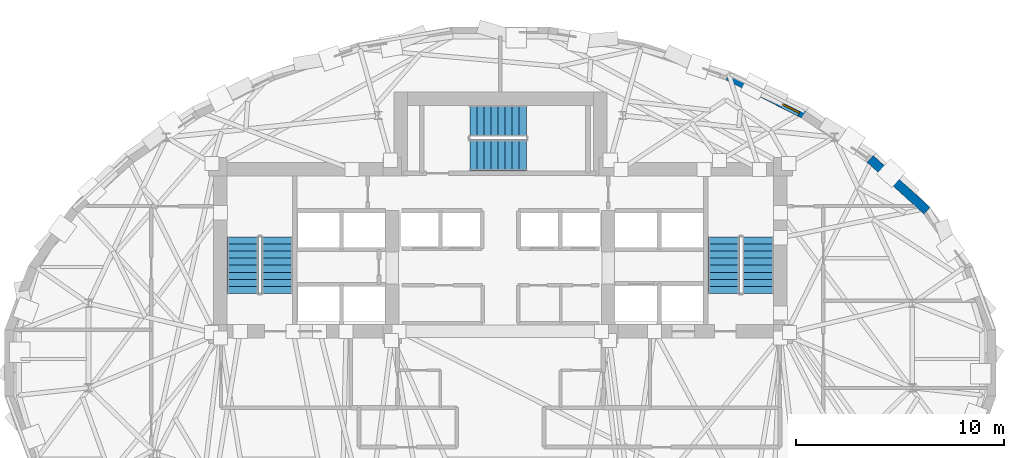
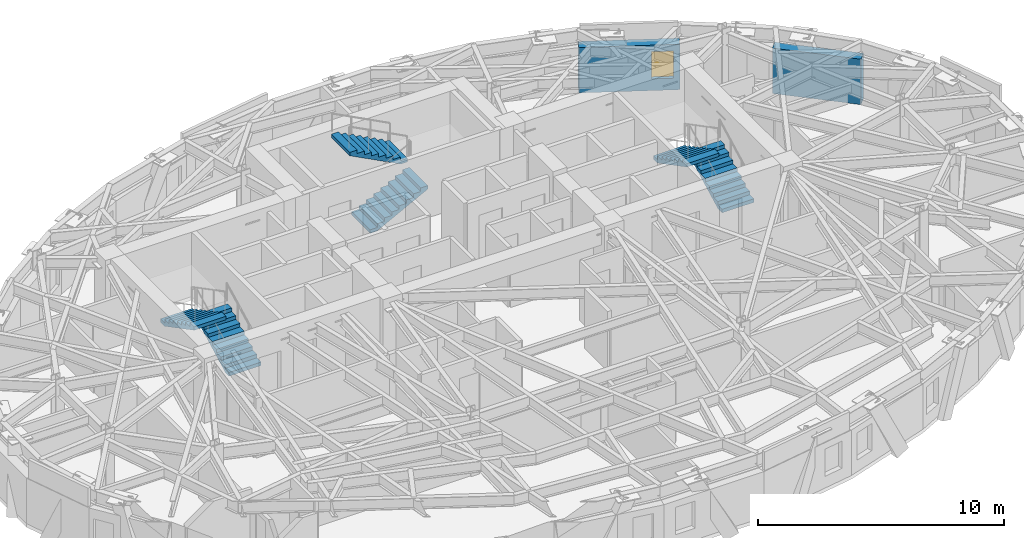
# One storey, part 9 of 12: 6 stair flights, 2 walls, 1 window, 1 opening, 3 elements without a shape of their own.
"""IFC4 building model written with IfcOpenShell, lengths in metres."""

from ifc_helpers import new_model, si_unit, direction, frame, frame_2d, origin, place, context, subcontext, project, spatial, polyline, rectangle, outline, extrude, material, layer, layer_set, type_object, element, fill, aggregate, save


model = new_model("IFC4")

# Units and contexts
model_context = context("Model", 3, precision=1e-05, world=origin(), true_north=direction((0.0, 1.0)))
body_context = subcontext(model_context, "Body", "Model", "MODEL_VIEW")
ifc_project = project(units=[si_unit("LENGTHUNIT", "METRE"), si_unit("AREAUNIT", "SQUARE_METRE"), si_unit("VOLUMEUNIT", "CUBIC_METRE"), si_unit("PLANEANGLEUNIT", "RADIAN"), si_unit("MASSUNIT", "GRAM", prefix="KILO")], contexts=[model_context])

# Site, building, storey
site_placement = place(None, origin())
site = spatial("IfcSite", under=ifc_project, at=site_placement, CompositionType="ELEMENT")
building_placement = place(site_placement, origin())
building = spatial("IfcBuilding", under=site, at=building_placement, Name="Keldmark Tower", CompositionType="ELEMENT")
storey_placement = place(building_placement, frame((0.0, 0.0, 198.199951171875)))
storey = spatial("IfcBuildingStorey", under=building, at=storey_placement, Name="L55", CompositionType="ELEMENT", Elevation=198.199951171875)

# Wall
ifc_material_1 = material(Name="Ironspot Manganese Brick and Kasota Buff Limestone Spandrel Assembly", Category="masonry")
ifc_layer = layer(ifc_material_1, 0.43994140625)
ifc_layer_set = layer_set([ifc_layer], Name="Ironspot Manganese Brick and Kasota Buff Limestone Spandrel Assembly")
wall_type = type_object("IfcWallType", Name="Tower Brick Pier and Spandrel Wall 440 mm", PredefinedType="STANDARD", material=ifc_layer_set)
wall_1_placement = place(storey_placement, frame((17.80126953125, 9.824462890625, 0.0), z_axis=(0.0, 0.0, 1.0), x_axis=(0.738992571182, -0.67371357396, 0.0)))
element("IfcWall", 1, at=wall_1_placement, inside=storey, type_object=wall_type, Name="L55 Exterior Brick and Spandrel Wall 03", PredefinedType="STANDARD", context=body_context, shape_type="SweptSolid", body=[
    extrude(rectangle(XDim=3.69873046875, YDim=0.43994140625, at=frame_2d((1.849365234375, 0.0))), origin(), (0.0, 0.0, 1.0), 2.255126953125),
])

# Wall, opening, window
wall_2_placement = place(storey_placement, frame((10.956298828125, 13.825927734375, 0.0), z_axis=(0.0, 0.0, 1.0), x_axis=(0.892939479035, -0.450176728387, 0.0)))
wall_2 = element("IfcWall", 2, at=wall_2_placement, inside=storey, type_object=wall_type, Name="L55 Exterior Brick and Spandrel Wall 05", PredefinedType="STANDARD", context=body_context, shape_type="SweptSolid", body=[
    extrude(rectangle(XDim=4.1162109375, YDim=0.43994140625, at=frame_2d((2.05810546875, 0.0))), origin(), (0.0, 0.0, 1.0), 2.255126953125),
])
opening_placement = place(wall_2_placement, frame((2.966796875, 0.0, 0.580078125)))
opening = element("IfcOpeningElement", 3, at=opening_placement, cuts=wall_2, Name="Opening W-09", PredefinedType="OPENING", context=body_context, shape_type="SweptSolid", body=[
    extrude(rectangle(XDim=0.89990234375, YDim=1.35009765625, at=frame_2d((0.449951171875, 0.675048828125))), frame((0.0, 0.22998046875, 0.0), z_axis=(0.0, -1.0, 0.0), x_axis=(1.0, 0.0, 0.0)), (0.0, 0.0, 1.0), 0.4599609375),
])
ifc_material_2 = material(Name="Thermally Broken Anodized Aluminum and Triple Low-E Argon Glazing", Category="aluminium")
window_type = type_object("IfcWindowType", Name="Corner Pier Deep-Set Window 900x1350", PartitioningType="SINGLE_PANEL", PredefinedType="WINDOW", material=ifc_material_2)
window_placement = place(opening_placement, origin())
window = element("IfcWindow", 4, at=window_placement, inside=storey, type_object=window_type, Name="L55 Deep-Set Window 05", OverallHeight=1.35009765625, OverallWidth=0.89990234375, PartitioningType="SINGLE_PANEL", PredefinedType="WINDOW", context=body_context, shape_type="SweptSolid", body=[
    extrude(rectangle(XDim=0.89990234375, YDim=1.35009765625, at=frame_2d((0.449951171875, 0.675048828125))), frame((0.0, -0.010009765625, 0.0), z_axis=(0.0, -1.0, 0.0), x_axis=(1.0, 0.0, 0.0)), (0.0, 0.0, 1.0), 0.06005859375),
])
fill(opening, window)

# Stair, stair flights
ifc_material_3 = material(Name="Concrete C40/50", Category="concrete")
stair_type = type_object("IfcStairType", Name="Precast Concrete Core Exit Stair", PredefinedType="HALF_TURN_STAIR", material=ifc_material_3)
stair_1_placement = place(storey_placement, origin())
stair_1 = element("IfcStair", 5, at=stair_1_placement, inside=storey, type_object=stair_type, Name="L55 Exit Stair ST1", PredefinedType="HALF_TURN_STAIR")
ifc_material_4 = material(Name="Concrete C40/50", Category="concrete")
stair_flight_type = type_object("IfcStairFlightType", Name="Precast Concrete Stair Flight 1500 mm", PredefinedType="STRAIGHT", material=ifc_material_4)
stair_flight_1_placement = place(storey_placement, frame((-10.75, 3.35009765625, 0.0), z_axis=(0.0, 0.0, 1.0), x_axis=(0.0, 1.0, 0.0)))
stair_flight_1 = element("IfcStairFlight", 6, at=stair_flight_1_placement, type_object=stair_flight_type, Name="ST1 flight 1", NumberOfRisers=9, NumberOfTreads=8, PredefinedType="STRAIGHT", RiserHeight=0.177777778, TreadLength=0.34, context=body_context, shape_type="SweptSolid", body=[
    extrude(outline(polyline([(0.0, 0.0), (0.0, 0.177734375), (0.340087890625, 0.177734375), (0.340087890625, 0.35546875), (0.679931640625, 0.35546875), (0.679931640625, 0.533447265625), (1.02001953125, 0.533447265625), (1.02001953125, 0.711181640625), (1.360107421875, 0.711181640625), (1.360107421875, 0.888916015625), (1.699951171875, 0.888916015625), (1.699951171875, 1.066650390625), (2.0400390625, 1.066650390625), (2.0400390625, 1.244384765625), (2.3798828125, 1.244384765625), (2.3798828125, 1.422119140625), (2.719970703125, 1.422119140625), (2.719970703125, 1.60009765625), (2.719970703125, 1.253173828125), (0.323486328125, 0.0), (0.0, 0.0)])), frame((0.0, 0.75, 0.0), z_axis=(0.0, -1.0, 0.0), x_axis=(1.0, 0.0, 0.0)), (0.0, 0.0, 1.0), 1.5),
])
stair_flight_2_placement = place(storey_placement, frame((-12.39990234375, 6.070068359375, 1.60009765625), z_axis=(0.0, 0.0, 1.0), x_axis=(0.0, -1.0, 0.0)))
stair_flight_2 = element("IfcStairFlight", 7, at=stair_flight_2_placement, type_object=stair_flight_type, Name="ST1 flight 2", NumberOfRisers=9, NumberOfTreads=8, PredefinedType="STRAIGHT", RiserHeight=0.177777778, TreadLength=0.34, context=body_context, shape_type="SweptSolid", body=[
    extrude(outline(polyline([(0.0, 0.0), (0.0, 0.177734375), (0.340087890625, 0.177734375), (0.340087890625, 0.35546875), (0.679931640625, 0.35546875), (0.679931640625, 0.533447265625), (1.02001953125, 0.533447265625), (1.02001953125, 0.711181640625), (1.360107421875, 0.711181640625), (1.360107421875, 0.888916015625), (1.699951171875, 0.888916015625), (1.699951171875, 1.066650390625), (2.0400390625, 1.066650390625), (2.0400390625, 1.244384765625), (2.3798828125, 1.244384765625), (2.3798828125, 1.422119140625), (2.719970703125, 1.422119140625), (2.719970703125, 1.60009765625), (2.719970703125, 1.253173828125), (0.323486328125, 0.0), (0.0, 0.0)])), frame((0.0, 0.75, 0.0), z_axis=(0.0, -1.0, 0.0), x_axis=(1.0, 0.0, 0.0)), (0.0, 0.0, 1.0), 1.5),
])
aggregate(stair_1, [stair_flight_1, stair_flight_2])

stair_2_placement = place(storey_placement, origin())
stair_2 = element("IfcStair", 8, at=stair_2_placement, inside=storey, type_object=stair_type, Name="L55 Exit Stair ST2", PredefinedType="HALF_TURN_STAIR")
stair_flight_3_placement = place(storey_placement, frame((12.39990234375, 3.35009765625, 0.0), z_axis=(0.0, 0.0, 1.0), x_axis=(0.0, 1.0, 0.0)))
stair_flight_3 = element("IfcStairFlight", 9, at=stair_flight_3_placement, type_object=stair_flight_type, Name="ST2 flight 1", NumberOfRisers=9, NumberOfTreads=8, PredefinedType="STRAIGHT", RiserHeight=0.177777778, TreadLength=0.34, context=body_context, shape_type="SweptSolid", body=[
    extrude(outline(polyline([(0.0, 0.0), (0.0, 0.177734375), (0.340087890625, 0.177734375), (0.340087890625, 0.35546875), (0.679931640625, 0.35546875), (0.679931640625, 0.533447265625), (1.02001953125, 0.533447265625), (1.02001953125, 0.711181640625), (1.360107421875, 0.711181640625), (1.360107421875, 0.888916015625), (1.699951171875, 0.888916015625), (1.699951171875, 1.066650390625), (2.0400390625, 1.066650390625), (2.0400390625, 1.244384765625), (2.3798828125, 1.244384765625), (2.3798828125, 1.422119140625), (2.719970703125, 1.422119140625), (2.719970703125, 1.60009765625), (2.719970703125, 1.253173828125), (0.323486328125, 0.0), (0.0, 0.0)])), frame((0.0, 0.75, 0.0), z_axis=(0.0, -1.0, 0.0), x_axis=(1.0, 0.0, 0.0)), (0.0, 0.0, 1.0), 1.5),
])
stair_flight_4_placement = place(storey_placement, frame((10.75, 6.070068359375, 1.60009765625), z_axis=(0.0, 0.0, 1.0), x_axis=(0.0, -1.0, 0.0)))
stair_flight_4 = element("IfcStairFlight", 10, at=stair_flight_4_placement, type_object=stair_flight_type, Name="ST2 flight 2", NumberOfRisers=9, NumberOfTreads=8, PredefinedType="STRAIGHT", RiserHeight=0.177777778, TreadLength=0.34, context=body_context, shape_type="SweptSolid", body=[
    extrude(outline(polyline([(0.0, 0.0), (0.0, 0.177734375), (0.340087890625, 0.177734375), (0.340087890625, 0.35546875), (0.679931640625, 0.35546875), (0.679931640625, 0.533447265625), (1.02001953125, 0.533447265625), (1.02001953125, 0.711181640625), (1.360107421875, 0.711181640625), (1.360107421875, 0.888916015625), (1.699951171875, 0.888916015625), (1.699951171875, 1.066650390625), (2.0400390625, 1.066650390625), (2.0400390625, 1.244384765625), (2.3798828125, 1.244384765625), (2.3798828125, 1.422119140625), (2.719970703125, 1.422119140625), (2.719970703125, 1.60009765625), (2.719970703125, 1.253173828125), (0.323486328125, 0.0), (0.0, 0.0)])), frame((0.0, 0.75, 0.0), z_axis=(0.0, -1.0, 0.0), x_axis=(1.0, 0.0, 0.0)), (0.0, 0.0, 1.0), 1.5),
])
aggregate(stair_2, [stair_flight_3, stair_flight_4])

stair_3_placement = place(storey_placement, origin())
stair_3 = element("IfcStair", 11, at=stair_3_placement, inside=storey, type_object=stair_type, Name="L55 Exit Stair ST3", PredefinedType="HALF_TURN_STAIR")
stair_flight_5_placement = place(storey_placement, frame((-1.47509765625, 10.0, 0.0), z_axis=(0.0, 0.0, 1.0), x_axis=(1.0, 0.0, 0.0)))
stair_flight_5 = element("IfcStairFlight", 12, at=stair_flight_5_placement, type_object=stair_flight_type, Name="ST3 flight 1", NumberOfRisers=9, NumberOfTreads=8, PredefinedType="STRAIGHT", RiserHeight=0.177777778, TreadLength=0.34, context=body_context, shape_type="SweptSolid", body=[
    extrude(outline(polyline([(0.0, 0.0), (0.0, 0.177734375), (0.340087890625, 0.177734375), (0.340087890625, 0.35546875), (0.679931640625, 0.35546875), (0.679931640625, 0.533447265625), (1.02001953125, 0.533447265625), (1.02001953125, 0.711181640625), (1.360107421875, 0.711181640625), (1.360107421875, 0.888916015625), (1.699951171875, 0.888916015625), (1.699951171875, 1.066650390625), (2.0400390625, 1.066650390625), (2.0400390625, 1.244384765625), (2.3798828125, 1.244384765625), (2.3798828125, 1.422119140625), (2.719970703125, 1.422119140625), (2.719970703125, 1.60009765625), (2.719970703125, 1.253173828125), (0.323486328125, 0.0), (0.0, 0.0)])), frame((0.0, 0.75, 0.0), z_axis=(0.0, -1.0, 0.0), x_axis=(1.0, 0.0, 0.0)), (0.0, 0.0, 1.0), 1.5),
])
stair_flight_6_placement = place(storey_placement, frame((1.2451171875, 11.64990234375, 1.60009765625), z_axis=(0.0, 0.0, 1.0), x_axis=(-1.0, 0.0, 0.0)))
stair_flight_6 = element("IfcStairFlight", 13, at=stair_flight_6_placement, type_object=stair_flight_type, Name="ST3 flight 2", NumberOfRisers=9, NumberOfTreads=8, PredefinedType="STRAIGHT", RiserHeight=0.177777778, TreadLength=0.34, context=body_context, shape_type="SweptSolid", body=[
    extrude(outline(polyline([(0.0, 0.0), (0.0, 0.177734375), (0.340087890625, 0.177734375), (0.340087890625, 0.35546875), (0.679931640625, 0.35546875), (0.679931640625, 0.533447265625), (1.02001953125, 0.533447265625), (1.02001953125, 0.711181640625), (1.360107421875, 0.711181640625), (1.360107421875, 0.888916015625), (1.699951171875, 0.888916015625), (1.699951171875, 1.066650390625), (2.0400390625, 1.066650390625), (2.0400390625, 1.244384765625), (2.3798828125, 1.244384765625), (2.3798828125, 1.422119140625), (2.719970703125, 1.422119140625), (2.719970703125, 1.60009765625), (2.719970703125, 1.253173828125), (0.323486328125, 0.0), (0.0, 0.0)])), frame((0.0, 0.75, 0.0), z_axis=(0.0, -1.0, 0.0), x_axis=(1.0, 0.0, 0.0)), (0.0, 0.0, 1.0), 1.5),
])
aggregate(stair_3, [stair_flight_5, stair_flight_6])

save(model, "model.ifc")
